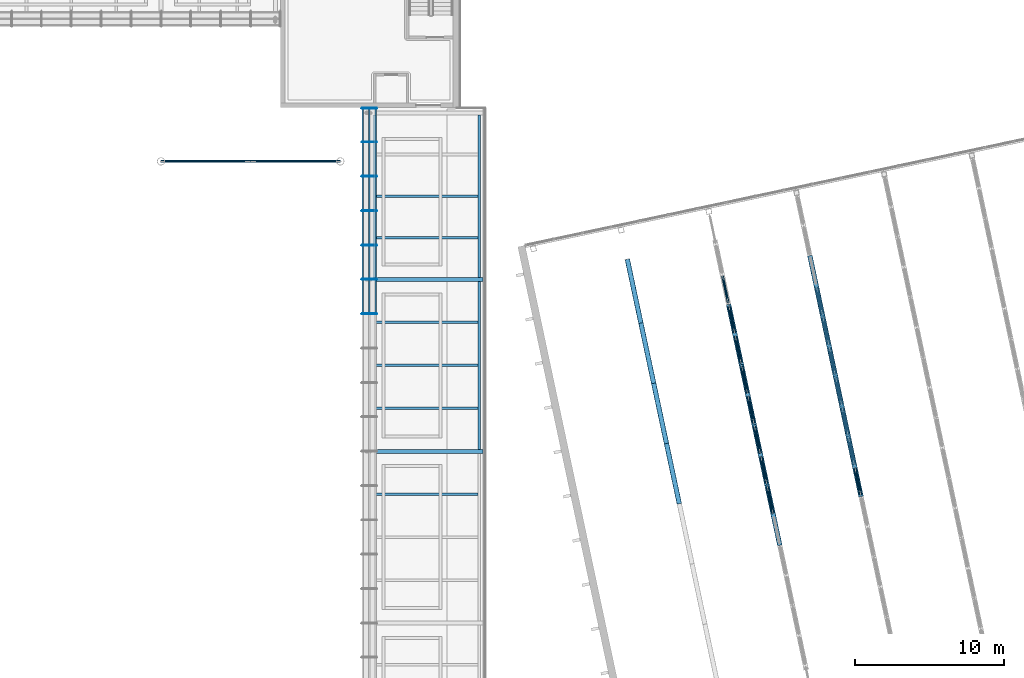
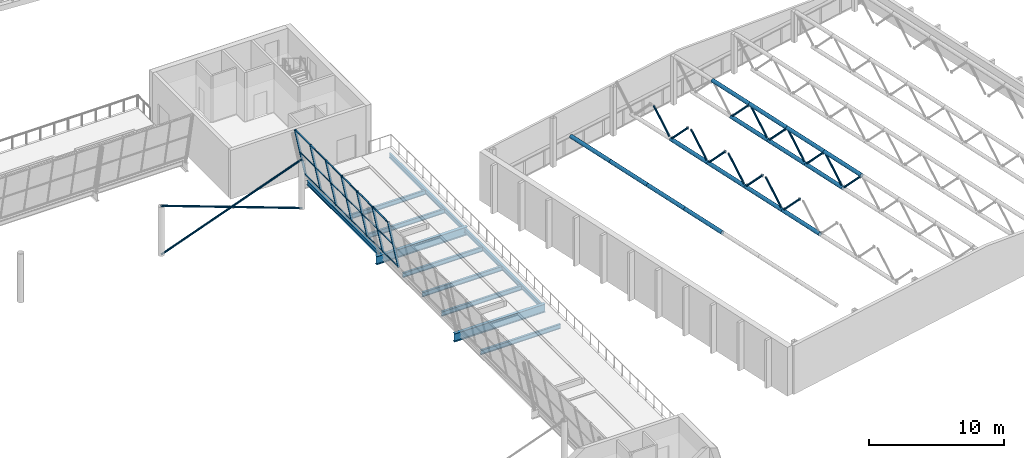
# One storey, part 16 of 58: 58 members, 11 beams, 1 element without a shape of its own.
"""IFC4 building model written with IfcOpenShell, lengths in metres."""

from ifc_helpers import new_model, si_unit, direction, frame, origin, origin_2d, place, context, subcontext, project, spatial, rectangle, hollow_circle, i_section, extrude, material, layer, layer_set, material_profile, profile_set, type_object, element, aggregate, save


model = new_model("IFC4")

# Units and contexts
model_context = context("Model", 3, precision=1e-05, world=origin(), true_north=direction((0.0, 1.0)))
body_context = subcontext(model_context, "Body", "Model", "MODEL_VIEW")
ifc_project = project(units=[si_unit("LENGTHUNIT", "METRE"), si_unit("AREAUNIT", "SQUARE_METRE"), si_unit("VOLUMEUNIT", "CUBIC_METRE"), si_unit("PLANEANGLEUNIT", "RADIAN"), si_unit("MASSUNIT", "GRAM", prefix="KILO")], contexts=[model_context])

# Site, building, storey
site_placement = place(None, origin())
site = spatial("IfcSite", under=ifc_project, at=site_placement, CompositionType="ELEMENT")
building_placement = place(site_placement, origin())
building = spatial("IfcBuilding", under=site, at=building_placement, Name="Windward Yard Aquatics Centre", CompositionType="ELEMENT")
storey_placement = place(building_placement, frame((0.0, 0.0, 13.800048828125)))
storey = spatial("IfcBuildingStorey", under=building, at=storey_placement, Name="L03", CompositionType="ELEMENT", Elevation=13.800048828125)

# Members
ifc_material_1 = material(Name="Steel ASTM A500 Gr C", Category="steel")
ifc_material_profile_1 = material_profile(ifc_material_1, hollow_circle(Radius=0.161865234375, WallThickness=0.0126953125, at=origin_2d()), Name="HSS323.9X12.7")
ifc_profile_set_1 = profile_set([ifc_material_profile_1], Name="Steel ASTM A500 Gr C")
member_type_1 = type_object("IfcMemberType", Name="D bottom chord HSS323.9X12.7", PredefinedType="CHORD", material=ifc_profile_set_1)
for number, where, z_axis, x_axis, name in (
    (1, (166.690673828125, 57.48974609375, 3.715087890625), (-0.207906233063, 0.978148760799, 0.0), (-0.978148760799, -0.207906233063, 0.0), "D.M.TR2.BC4"),
    (2, (165.833984375, 61.520263671875, 3.715087890625), (-0.207906233063, 0.978148760799, 0.0), (-0.978148760799, -0.207906233063, 0.0), "D.M.TR2.BC5"),
    (3, (164.977294921875, 65.55078125, 3.715087890625), (-0.207906233063, 0.978148760799, 0.0), (-0.978148760799, -0.207906233063, 0.0), "D.M.TR2.BC6"),
):
    element("IfcMember", number, at=place(storey_placement, frame(where, z_axis=z_axis, x_axis=x_axis)), inside=storey, type_object=member_type_1, Name=name, PredefinedType="CHORD", context=body_context, shape_type="SweptSolid", body=[
        extrude(hollow_circle(Radius=0.161865234375, WallThickness=0.0126953125, at=origin_2d()), origin(), (0.0, 0.0, 1.0), 4.12060546875),
    ])
member_1_placement = place(storey_placement, frame((164.12060546875, 69.581298828125, 3.715087890625), z_axis=(-0.207918885104, 0.978146071513, 0.0), x_axis=(-0.978146071513, -0.207918885104, 0.0)))
element("IfcMember", 4, at=member_1_placement, inside=storey, type_object=member_type_1, Name="D.M.TR2.BC7", PredefinedType="CHORD", context=body_context, shape_type="SweptSolid", body=[
    extrude(hollow_circle(Radius=0.161865234375, WallThickness=0.0126953125, at=origin_2d()), origin(), (0.0, 0.0, 1.0), 4.370361328125),
])
for number, where, z_axis, x_axis, name in (
    (5, (173.416259765625, 54.706787109375, 2.925537109375), (-0.207906233063, 0.978148760799, 0.0), (-0.978148760799, -0.207906233063, 0.0), "D.M.TR3.BC3"),
    (6, (172.5595703125, 58.7373046875, 2.925537109375), (-0.207906233063, 0.978148760799, 0.0), (-0.978148760799, -0.207906233063, 0.0), "D.M.TR3.BC4"),
):
    element("IfcMember", number, at=place(storey_placement, frame(where, z_axis=z_axis, x_axis=x_axis)), inside=storey, type_object=member_type_1, Name=name, PredefinedType="CHORD", context=body_context, shape_type="SweptSolid", body=[
        extrude(hollow_circle(Radius=0.161865234375, WallThickness=0.0126953125, at=origin_2d()), origin(), (0.0, 0.0, 1.0), 4.12060546875),
    ])
member_2_placement = place(storey_placement, frame((171.702880859375, 62.767822265625, 2.925537109375), z_axis=(-0.2079182829, 0.97814619952, 0.0), x_axis=(-0.97814619952, -0.2079182829, 0.0)))
element("IfcMember", 7, at=member_2_placement, inside=storey, type_object=member_type_1, Name="D.M.TR3.BC5", PredefinedType="CHORD", context=body_context, shape_type="SweptSolid", body=[
    extrude(hollow_circle(Radius=0.161865234375, WallThickness=0.0126953125, at=origin_2d()), origin(), (0.0, 0.0, 1.0), 4.120361328125),
])
member_3_placement = place(storey_placement, frame((170.84619140625, 66.798095703125, 2.925537109375), z_axis=(-0.207906233063, 0.978148760799, 0.0), x_axis=(-0.978148760799, -0.207906233063, 0.0)))
element("IfcMember", 8, at=member_3_placement, inside=storey, type_object=member_type_1, Name="D.M.TR3.BC6", PredefinedType="CHORD", context=body_context, shape_type="SweptSolid", body=[
    extrude(hollow_circle(Radius=0.161865234375, WallThickness=0.0126953125, at=origin_2d()), origin(), (0.0, 0.0, 1.0), 4.12060546875),
])
member_4_placement = place(storey_placement, frame((178.428466796875, 59.98486328125, 2.13623046875), z_axis=(-0.20797497321, 0.978134147507, 0.0), x_axis=(-0.978134147507, -0.20797497321, 0.0)))
element("IfcMember", 9, at=member_4_placement, inside=storey, type_object=member_type_1, Name="D.M.TR4.BC4", PredefinedType="CHORD", context=body_context, shape_type="SweptSolid", body=[
    extrude(hollow_circle(Radius=0.161865234375, WallThickness=0.0126953125, at=origin_2d()), origin(), (0.0, 0.0, 1.0), 4.120361328125),
])
for number, where, z_axis, x_axis, name in (
    (10, (177.571533203125, 64.01513671875, 2.13623046875), (-0.207906233063, 0.978148760799, 0.0), (-0.978148760799, -0.207906233063, 0.0), "D.M.TR4.BC5"),
    (11, (176.71484375, 68.045654296875, 2.13623046875), (-0.207906233063, 0.978148760799, 0.0), (-0.978148760799, -0.207906233063, 0.0), "D.M.TR4.BC6"),
):
    element("IfcMember", number, at=place(storey_placement, frame(where, z_axis=z_axis, x_axis=x_axis)), inside=storey, type_object=member_type_1, Name=name, PredefinedType="CHORD", context=body_context, shape_type="SweptSolid", body=[
        extrude(hollow_circle(Radius=0.161865234375, WallThickness=0.0126953125, at=origin_2d()), origin(), (0.0, 0.0, 1.0), 4.12060546875),
    ])
ifc_material_profile_2 = material_profile(ifc_material_1, hollow_circle(Radius=0.161865234375, WallThickness=0.0126953125, at=origin_2d()), Name="HSS323.9X12.7")
ifc_profile_set_2 = profile_set([ifc_material_profile_2], Name="Steel ASTM A500 Gr C")
member_type_2 = type_object("IfcMemberType", Name="D top chord HSS323.9X12.7", PredefinedType="CHORD", material=ifc_profile_set_2)
for number, where, z_axis, x_axis, name in (
    (12, (178.856689453125, 57.969482421875, 4.336181640625), (-0.207906233063, 0.978148760799, 0.0), (-0.978148760799, -0.207906233063, 0.0), "D.M.TR4.TC4"),
    (13, (178.0, 62.0, 4.336181640625), (-0.207906233063, 0.978148760799, 0.0), (-0.978148760799, -0.207906233063, 0.0), "D.M.TR4.TC5"),
):
    element("IfcMember", number, at=place(storey_placement, frame(where, z_axis=z_axis, x_axis=x_axis)), inside=storey, type_object=member_type_2, Name=name, PredefinedType="CHORD", context=body_context, shape_type="SweptSolid", body=[
        extrude(hollow_circle(Radius=0.161865234375, WallThickness=0.0126953125, at=origin_2d()), origin(), (0.0, 0.0, 1.0), 4.12060546875),
    ])
member_5_placement = place(storey_placement, frame((177.143310546875, 66.030517578125, 4.336181640625), z_axis=(-0.2079182829, 0.97814619952, 0.0), x_axis=(-0.97814619952, -0.2079182829, 0.0)))
element("IfcMember", 14, at=member_5_placement, inside=storey, type_object=member_type_2, Name="D.M.TR4.TC6", PredefinedType="CHORD", context=body_context, shape_type="SweptSolid", body=[
    extrude(hollow_circle(Radius=0.161865234375, WallThickness=0.0126953125, at=origin_2d()), origin(), (0.0, 0.0, 1.0), 4.120361328125),
])
member_6_placement = place(storey_placement, frame((176.28662109375, 70.060791015625, 4.336181640625), z_axis=(-0.207906233063, 0.978148760799, 0.0), x_axis=(-0.978148760799, -0.207906233063, 0.0)))
element("IfcMember", 15, at=member_6_placement, inside=storey, type_object=member_type_2, Name="D.M.TR4.TC7", PredefinedType="CHORD", context=body_context, shape_type="SweptSolid", body=[
    extrude(hollow_circle(Radius=0.161865234375, WallThickness=0.0126953125, at=origin_2d()), origin(), (0.0, 0.0, 1.0), 4.12060546875),
])
ifc_material_profile_3 = material_profile(ifc_material_1, hollow_circle(Radius=0.084228515625, WallThickness=0.010986328125, at=origin_2d()), Name="HSS168.3X11")
ifc_profile_set_3 = profile_set([ifc_material_profile_3], Name="Steel ASTM A500 Gr C")
member_type_3 = type_object("IfcMemberType", Name="D web HSS168.3X11", PredefinedType="BRACE", material=ifc_profile_set_3)
for number, where, z_axis, x_axis, name in (
    (16, (172.956298828125, 56.87060546875, 4.963623046875), (-0.142112310021, 0.668573822143, -0.72994050147), (-0.978146839882, -0.207915270313, 0.0), "D.M.TR3.D7"),
    (17, (172.16259765625, 60.60400390625, 4.963623046875), (0.142112310021, -0.668573822143, -0.72994050147), (0.978146839882, 0.207915270313, 0.0), "D.M.TR3.D8"),
):
    element("IfcMember", number, at=place(storey_placement, frame(where, z_axis=z_axis, x_axis=x_axis)), inside=storey, type_object=member_type_3, Name=name, PredefinedType="BRACE", context=body_context, shape_type="SweptSolid", body=[
        extrude(hollow_circle(Radius=0.084228515625, WallThickness=0.010986328125, at=origin_2d()), origin(), (0.0, 0.0, 1.0), 2.570068359375),
    ])
member_7_placement = place(storey_placement, frame((172.099609375, 60.90087890625, 4.963623046875), z_axis=(-0.142103284534, 0.668626350155, -0.729894143286), x_axis=(-0.978152846624, -0.207887009312, 0.0)))
element("IfcMember", 18, at=member_7_placement, inside=storey, type_object=member_type_3, Name="D.M.TR3.D9", PredefinedType="BRACE", context=body_context, shape_type="SweptSolid", body=[
    extrude(hollow_circle(Radius=0.084228515625, WallThickness=0.010986328125, at=origin_2d()), origin(), (0.0, 0.0, 1.0), 2.5703125),
])
member_8_placement = place(storey_placement, frame((171.305908203125, 64.634521484375, 4.963623046875), z_axis=(0.142112310021, -0.668573822143, -0.72994050147), x_axis=(0.978146839882, 0.207915270313, 0.0)))
element("IfcMember", 19, at=member_8_placement, inside=storey, type_object=member_type_3, Name="D.M.TR3.D10", PredefinedType="BRACE", context=body_context, shape_type="SweptSolid", body=[
    extrude(hollow_circle(Radius=0.084228515625, WallThickness=0.010986328125, at=origin_2d()), origin(), (0.0, 0.0, 1.0), 2.570068359375),
])
for number, where, z_axis, x_axis, name in (
    (20, (171.242919921875, 64.931396484375, 4.963623046875), (-0.142103284534, 0.668626350155, -0.729894143286), (-0.978152846624, -0.207887009312, 0.0), "D.M.TR3.D11"),
    (21, (170.44921875, 68.6650390625, 4.963623046875), (0.142103284534, -0.668626350155, -0.729894143286), (0.978152846624, 0.207887009312, 0.0), "D.M.TR3.D12"),
    (22, (170.38623046875, 68.9619140625, 4.963623046875), (-0.142103284534, 0.668626350155, -0.729894143286), (-0.978152846624, -0.207887009312, 0.0), "D.M.TR3.D13"),
    (23, (169.592529296875, 72.695556640625, 4.963623046875), (0.142103284534, -0.668626350155, -0.729894143286), (0.978152846624, 0.207887009312, 0.0), "D.M.TR3.D14"),
    (24, (178.8251953125, 58.117919921875, 4.17431640625), (-0.142103284534, 0.668626350155, -0.729894143286), (-0.978152846624, -0.207887009312, 0.0), "D.M.TR4.D7"),
):
    element("IfcMember", number, at=place(storey_placement, frame(where, z_axis=z_axis, x_axis=x_axis)), inside=storey, type_object=member_type_3, Name=name, PredefinedType="BRACE", context=body_context, shape_type="SweptSolid", body=[
        extrude(hollow_circle(Radius=0.084228515625, WallThickness=0.010986328125, at=origin_2d()), origin(), (0.0, 0.0, 1.0), 2.5703125),
    ])
for number, where, z_axis, x_axis, name in (
    (25, (178.031494140625, 61.8515625, 4.17431640625), (0.142112310021, -0.668573822143, -0.72994050147), (0.978146839882, 0.207915270313, 0.0), "D.M.TR4.D8"),
    (26, (177.968505859375, 62.1484375, 4.17431640625), (-0.142112310021, 0.668573822143, -0.72994050147), (-0.978146839882, -0.207915270313, 0.0), "D.M.TR4.D9"),
):
    element("IfcMember", number, at=place(storey_placement, frame(where, z_axis=z_axis, x_axis=x_axis)), inside=storey, type_object=member_type_3, Name=name, PredefinedType="BRACE", context=body_context, shape_type="SweptSolid", body=[
        extrude(hollow_circle(Radius=0.084228515625, WallThickness=0.010986328125, at=origin_2d()), origin(), (0.0, 0.0, 1.0), 2.570068359375),
    ])
member_9_placement = place(storey_placement, frame((177.1748046875, 65.882080078125, 4.17431640625), z_axis=(0.142103284534, -0.668626350155, -0.729894143286), x_axis=(0.978152846624, 0.207887009312, 0.0)))
element("IfcMember", 27, at=member_9_placement, inside=storey, type_object=member_type_3, Name="D.M.TR4.D10", PredefinedType="BRACE", context=body_context, shape_type="SweptSolid", body=[
    extrude(hollow_circle(Radius=0.084228515625, WallThickness=0.010986328125, at=origin_2d()), origin(), (0.0, 0.0, 1.0), 2.5703125),
])
member_10_placement = place(storey_placement, frame((177.11181640625, 66.178955078125, 4.17431640625), z_axis=(-0.142112310021, 0.668573822143, -0.72994050147), x_axis=(-0.978146839882, -0.207915270313, 0.0)))
element("IfcMember", 28, at=member_10_placement, inside=storey, type_object=member_type_3, Name="D.M.TR4.D11", PredefinedType="BRACE", context=body_context, shape_type="SweptSolid", body=[
    extrude(hollow_circle(Radius=0.084228515625, WallThickness=0.010986328125, at=origin_2d()), origin(), (0.0, 0.0, 1.0), 2.570068359375),
])
for number, where, z_axis, x_axis, name in (
    (29, (176.318115234375, 69.91259765625, 4.17431640625), (0.142103284534, -0.668626350155, -0.729894143286), (0.978152846624, 0.207887009312, 0.0), "D.M.TR4.D12"),
    (30, (176.255126953125, 70.209228515625, 4.17431640625), (-0.142103284534, 0.668626350155, -0.729894143286), (-0.978152846624, -0.207887009312, 0.0), "D.M.TR4.D13"),
):
    element("IfcMember", number, at=place(storey_placement, frame(where, z_axis=z_axis, x_axis=x_axis)), inside=storey, type_object=member_type_3, Name=name, PredefinedType="BRACE", context=body_context, shape_type="SweptSolid", body=[
        extrude(hollow_circle(Radius=0.084228515625, WallThickness=0.010986328125, at=origin_2d()), origin(), (0.0, 0.0, 1.0), 2.5703125),
    ])

# Curtain wall, members
ifc_material_2 = material(Name="Glass and aluminium curtain wall", Category="aluminium")
ifc_layer = layer(ifc_material_2, 0.179931640625)
ifc_layer_set = layer_set([ifc_layer], Name="H curtain wall tier 2 double glazed 6+16+6")
curtain_wall_type = type_object("IfcCurtainWallType", Name="H curtain wall tier 2 double glazed 6+16+6", PredefinedType="NOTDEFINED", material=ifc_layer_set)
curtain_wall_placement = place(storey_placement, origin())
curtain_wall = element("IfcCurtainWall", 31, at=curtain_wall_placement, inside=storey, type_object=curtain_wall_type, Name="Tier 2 glazing E L03", PredefinedType="NOTDEFINED")
ifc_material_3 = material(Name="Aluminium 6063-T6 anodised", Category="aluminium")
ifc_material_profile_4 = material_profile(ifc_material_3, rectangle(XDim=0.06494140625, YDim=0.179931640625, at=origin_2d()), Name="H CW mullion 65x180")
ifc_profile_set_4 = profile_set([ifc_material_profile_4], Name="Aluminium 6063-T6 anodised")
member_type_4 = type_object("IfcMemberType", Name="H CW mullion 65x180", PredefinedType="MULLION", material=ifc_profile_set_4)
member_11_placement = place(storey_placement, frame((146.38623046875, 70.199951171875, 0.017822265625), z_axis=(-0.199327811945, 0.0, 0.979932866775), x_axis=(0.0, -1.0, 0.0)))
member_11 = element("IfcMember", 32, at=member_11_placement, type_object=member_type_4, Name="G2EA mullion 15", PredefinedType="MULLION", context=body_context, shape_type="SweptSolid", body=[
    extrude(rectangle(XDim=0.06494140625, YDim=0.179931640625, at=origin_2d()), origin(), (0.0, 0.0, 1.0), 4.471923828125),
])
member_12_placement = place(storey_placement, frame((146.38623046875, 72.5, 0.017822265625), z_axis=(-0.199327811945, 0.0, 0.979932866775), x_axis=(0.0, -1.0, 0.0)))
member_12 = element("IfcMember", 33, at=member_12_placement, type_object=member_type_4, Name="G2EA mullion 16", PredefinedType="MULLION", context=body_context, shape_type="SweptSolid", body=[
    extrude(rectangle(XDim=0.06494140625, YDim=0.179931640625, at=origin_2d()), origin(), (0.0, 0.0, 1.0), 4.471923828125),
])
member_13_placement = place(storey_placement, frame((146.38623046875, 74.800048828125, 0.017822265625), z_axis=(-0.199327811945, 0.0, 0.979932866775), x_axis=(0.0, -1.0, 0.0)))
member_13 = element("IfcMember", 34, at=member_13_placement, type_object=member_type_4, Name="G2EA mullion 17", PredefinedType="MULLION", context=body_context, shape_type="SweptSolid", body=[
    extrude(rectangle(XDim=0.06494140625, YDim=0.179931640625, at=origin_2d()), origin(), (0.0, 0.0, 1.0), 4.471923828125),
])
member_14_placement = place(storey_placement, frame((146.38623046875, 77.10009765625, 0.017822265625), z_axis=(-0.199327811945, 0.0, 0.979932866775), x_axis=(0.0, -1.0, 0.0)))
member_14 = element("IfcMember", 35, at=member_14_placement, type_object=member_type_4, Name="G2EA mullion 18", PredefinedType="MULLION", context=body_context, shape_type="SweptSolid", body=[
    extrude(rectangle(XDim=0.06494140625, YDim=0.179931640625, at=origin_2d()), origin(), (0.0, 0.0, 1.0), 4.471923828125),
])
member_15_placement = place(storey_placement, frame((146.38623046875, 79.39990234375, 0.017822265625), z_axis=(-0.199327811945, 0.0, 0.979932866775), x_axis=(0.0, -1.0, 0.0)))
member_15 = element("IfcMember", 36, at=member_15_placement, type_object=member_type_4, Name="G2EA mullion 19", PredefinedType="MULLION", context=body_context, shape_type="SweptSolid", body=[
    extrude(rectangle(XDim=0.06494140625, YDim=0.179931640625, at=origin_2d()), origin(), (0.0, 0.0, 1.0), 4.471923828125),
])
member_16_placement = place(storey_placement, frame((146.38623046875, 81.699951171875, 0.017822265625), z_axis=(-0.199327811945, 0.0, 0.979932866775), x_axis=(0.0, -1.0, 0.0)))
member_16 = element("IfcMember", 37, at=member_16_placement, type_object=member_type_4, Name="G2EA mullion 20", PredefinedType="MULLION", context=body_context, shape_type="SweptSolid", body=[
    extrude(rectangle(XDim=0.06494140625, YDim=0.179931640625, at=origin_2d()), origin(), (0.0, 0.0, 1.0), 4.471923828125),
])
member_17_placement = place(storey_placement, frame((146.38623046875, 83.967529296875, 0.017822265625), z_axis=(-0.199327811945, 0.0, 0.979932866775), x_axis=(0.0, -1.0, 0.0)))
member_17 = element("IfcMember", 38, at=member_17_placement, type_object=member_type_4, Name="G2EA mullion 21", PredefinedType="MULLION", context=body_context, shape_type="SweptSolid", body=[
    extrude(rectangle(XDim=0.06494140625, YDim=0.179931640625, at=origin_2d()), origin(), (0.0, 0.0, 1.0), 4.471923828125),
])
ifc_material_profile_5 = material_profile(ifc_material_3, rectangle(XDim=0.06494140625, YDim=0.10009765625, at=origin_2d()), Name="H CW transom 65x100")
ifc_profile_set_5 = profile_set([ifc_material_profile_5], Name="Aluminium 6063-T6 anodised")
member_type_5 = type_object("IfcMemberType", Name="H CW transom 65x100", PredefinedType="USERDEFINED", material=ifc_profile_set_5)
member_18_placement = place(storey_placement, frame((146.378662109375, 70.232421875, 0.055419921875), z_axis=(0.0, 1.0, 0.0), x_axis=(0.979924704642, 0.0, 0.199367934315)))
member_18 = element("IfcMember", 39, at=member_18_placement, type_object=member_type_5, Name="G2EA transom 15.1", ObjectType="TRANSOM", PredefinedType="USERDEFINED", context=body_context, shape_type="SweptSolid", body=[
    extrude(rectangle(XDim=0.06494140625, YDim=0.10009765625, at=origin_2d()), origin(), (0.0, 0.0, 1.0), 2.235107421875),
])
member_19_placement = place(storey_placement, frame((145.9423828125, 70.232421875, 2.199951171875), z_axis=(0.0, 1.0, 0.0), x_axis=(0.979924704642, 0.0, 0.199367934315)))
member_19 = element("IfcMember", 40, at=member_19_placement, type_object=member_type_5, Name="G2EA transom 15.2", ObjectType="TRANSOM", PredefinedType="USERDEFINED", context=body_context, shape_type="SweptSolid", body=[
    extrude(rectangle(XDim=0.06494140625, YDim=0.10009765625, at=origin_2d()), origin(), (0.0, 0.0, 1.0), 2.235107421875),
])
member_20_placement = place(storey_placement, frame((145.5048828125, 70.232421875, 4.35107421875), z_axis=(0.0, 1.0, 0.0), x_axis=(0.979924704642, 0.0, 0.199367934315)))
member_20 = element("IfcMember", 41, at=member_20_placement, type_object=member_type_5, Name="G2EA transom 15.3", ObjectType="TRANSOM", PredefinedType="USERDEFINED", context=body_context, shape_type="SweptSolid", body=[
    extrude(rectangle(XDim=0.06494140625, YDim=0.10009765625, at=origin_2d()), origin(), (0.0, 0.0, 1.0), 2.235107421875),
])
member_21_placement = place(storey_placement, frame((146.378662109375, 72.532470703125, 0.055419921875), z_axis=(0.0, 1.0, 0.0), x_axis=(0.979924704642, 0.0, 0.199367934315)))
member_21 = element("IfcMember", 42, at=member_21_placement, type_object=member_type_5, Name="G2EA transom 16.1", ObjectType="TRANSOM", PredefinedType="USERDEFINED", context=body_context, shape_type="SweptSolid", body=[
    extrude(rectangle(XDim=0.06494140625, YDim=0.10009765625, at=origin_2d()), origin(), (0.0, 0.0, 1.0), 2.235107421875),
])
member_22_placement = place(storey_placement, frame((145.9423828125, 72.532470703125, 2.199951171875), z_axis=(0.0, 1.0, 0.0), x_axis=(0.979924704642, 0.0, 0.199367934315)))
member_22 = element("IfcMember", 43, at=member_22_placement, type_object=member_type_5, Name="G2EA transom 16.2", ObjectType="TRANSOM", PredefinedType="USERDEFINED", context=body_context, shape_type="SweptSolid", body=[
    extrude(rectangle(XDim=0.06494140625, YDim=0.10009765625, at=origin_2d()), origin(), (0.0, 0.0, 1.0), 2.235107421875),
])
member_23_placement = place(storey_placement, frame((145.5048828125, 72.532470703125, 4.35107421875), z_axis=(0.0, 1.0, 0.0), x_axis=(0.979924704642, 0.0, 0.199367934315)))
member_23 = element("IfcMember", 44, at=member_23_placement, type_object=member_type_5, Name="G2EA transom 16.3", ObjectType="TRANSOM", PredefinedType="USERDEFINED", context=body_context, shape_type="SweptSolid", body=[
    extrude(rectangle(XDim=0.06494140625, YDim=0.10009765625, at=origin_2d()), origin(), (0.0, 0.0, 1.0), 2.235107421875),
])
member_24_placement = place(storey_placement, frame((146.378662109375, 74.83251953125, 0.055419921875), z_axis=(0.0, 1.0, 0.0), x_axis=(0.979924704642, 0.0, 0.199367934315)))
member_24 = element("IfcMember", 45, at=member_24_placement, type_object=member_type_5, Name="G2EA transom 17.1", ObjectType="TRANSOM", PredefinedType="USERDEFINED", context=body_context, shape_type="SweptSolid", body=[
    extrude(rectangle(XDim=0.06494140625, YDim=0.10009765625, at=origin_2d()), origin(), (0.0, 0.0, 1.0), 2.23486328125),
])
member_25_placement = place(storey_placement, frame((145.9423828125, 74.83251953125, 2.199951171875), z_axis=(0.0, 1.0, 0.0), x_axis=(0.979924704642, 0.0, 0.199367934315)))
member_25 = element("IfcMember", 46, at=member_25_placement, type_object=member_type_5, Name="G2EA transom 17.2", ObjectType="TRANSOM", PredefinedType="USERDEFINED", context=body_context, shape_type="SweptSolid", body=[
    extrude(rectangle(XDim=0.06494140625, YDim=0.10009765625, at=origin_2d()), origin(), (0.0, 0.0, 1.0), 2.23486328125),
])
member_26_placement = place(storey_placement, frame((145.5048828125, 74.83251953125, 4.35107421875), z_axis=(0.0, 1.0, 0.0), x_axis=(0.979924704642, 0.0, 0.199367934315)))
member_26 = element("IfcMember", 47, at=member_26_placement, type_object=member_type_5, Name="G2EA transom 17.3", ObjectType="TRANSOM", PredefinedType="USERDEFINED", context=body_context, shape_type="SweptSolid", body=[
    extrude(rectangle(XDim=0.06494140625, YDim=0.10009765625, at=origin_2d()), origin(), (0.0, 0.0, 1.0), 2.23486328125),
])
member_27_placement = place(storey_placement, frame((146.378662109375, 77.132568359375, 0.055419921875), z_axis=(0.0, 1.0, 0.0), x_axis=(0.979924704642, 0.0, 0.199367934315)))
member_27 = element("IfcMember", 48, at=member_27_placement, type_object=member_type_5, Name="G2EA transom 18.1", ObjectType="TRANSOM", PredefinedType="USERDEFINED", context=body_context, shape_type="SweptSolid", body=[
    extrude(rectangle(XDim=0.06494140625, YDim=0.10009765625, at=origin_2d()), origin(), (0.0, 0.0, 1.0), 2.23486328125),
])
member_28_placement = place(storey_placement, frame((145.9423828125, 77.132568359375, 2.199951171875), z_axis=(0.0, 1.0, 0.0), x_axis=(0.979924704642, 0.0, 0.199367934315)))
member_28 = element("IfcMember", 49, at=member_28_placement, type_object=member_type_5, Name="G2EA transom 18.2", ObjectType="TRANSOM", PredefinedType="USERDEFINED", context=body_context, shape_type="SweptSolid", body=[
    extrude(rectangle(XDim=0.06494140625, YDim=0.10009765625, at=origin_2d()), origin(), (0.0, 0.0, 1.0), 2.23486328125),
])
member_29_placement = place(storey_placement, frame((145.5048828125, 77.132568359375, 4.35107421875), z_axis=(0.0, 1.0, 0.0), x_axis=(0.979924704642, 0.0, 0.199367934315)))
member_29 = element("IfcMember", 50, at=member_29_placement, type_object=member_type_5, Name="G2EA transom 18.3", ObjectType="TRANSOM", PredefinedType="USERDEFINED", context=body_context, shape_type="SweptSolid", body=[
    extrude(rectangle(XDim=0.06494140625, YDim=0.10009765625, at=origin_2d()), origin(), (0.0, 0.0, 1.0), 2.23486328125),
])
member_30_placement = place(storey_placement, frame((146.378662109375, 79.4326171875, 0.055419921875), z_axis=(0.0, 1.0, 0.0), x_axis=(0.979924704642, 0.0, 0.199367934315)))
member_30 = element("IfcMember", 51, at=member_30_placement, type_object=member_type_5, Name="G2EA transom 19.1", ObjectType="TRANSOM", PredefinedType="USERDEFINED", context=body_context, shape_type="SweptSolid", body=[
    extrude(rectangle(XDim=0.06494140625, YDim=0.10009765625, at=origin_2d()), origin(), (0.0, 0.0, 1.0), 2.23486328125),
])
member_31_placement = place(storey_placement, frame((145.9423828125, 79.4326171875, 2.199951171875), z_axis=(0.0, 1.0, 0.0), x_axis=(0.979924704642, 0.0, 0.199367934315)))
member_31 = element("IfcMember", 52, at=member_31_placement, type_object=member_type_5, Name="G2EA transom 19.2", ObjectType="TRANSOM", PredefinedType="USERDEFINED", context=body_context, shape_type="SweptSolid", body=[
    extrude(rectangle(XDim=0.06494140625, YDim=0.10009765625, at=origin_2d()), origin(), (0.0, 0.0, 1.0), 2.23486328125),
])
member_32_placement = place(storey_placement, frame((145.5048828125, 79.4326171875, 4.35107421875), z_axis=(0.0, 1.0, 0.0), x_axis=(0.979924704642, 0.0, 0.199367934315)))
member_32 = element("IfcMember", 53, at=member_32_placement, type_object=member_type_5, Name="G2EA transom 19.3", ObjectType="TRANSOM", PredefinedType="USERDEFINED", context=body_context, shape_type="SweptSolid", body=[
    extrude(rectangle(XDim=0.06494140625, YDim=0.10009765625, at=origin_2d()), origin(), (0.0, 0.0, 1.0), 2.23486328125),
])
member_33_placement = place(storey_placement, frame((146.378662109375, 81.732421875, 0.055419921875), z_axis=(0.0, 1.0, 0.0), x_axis=(0.979924704642, 0.0, 0.199367934315)))
member_33 = element("IfcMember", 54, at=member_33_placement, type_object=member_type_5, Name="G2EA transom 20.1", ObjectType="TRANSOM", PredefinedType="USERDEFINED", context=body_context, shape_type="SweptSolid", body=[
    extrude(rectangle(XDim=0.06494140625, YDim=0.10009765625, at=origin_2d()), origin(), (0.0, 0.0, 1.0), 2.20263671875),
])
member_34_placement = place(storey_placement, frame((145.9423828125, 81.732421875, 2.199951171875), z_axis=(0.0, 1.0, 0.0), x_axis=(0.979924704642, 0.0, 0.199367934315)))
member_34 = element("IfcMember", 55, at=member_34_placement, type_object=member_type_5, Name="G2EA transom 20.2", ObjectType="TRANSOM", PredefinedType="USERDEFINED", context=body_context, shape_type="SweptSolid", body=[
    extrude(rectangle(XDim=0.06494140625, YDim=0.10009765625, at=origin_2d()), origin(), (0.0, 0.0, 1.0), 2.20263671875),
])
member_35_placement = place(storey_placement, frame((145.5048828125, 81.732421875, 4.35107421875), z_axis=(0.0, 1.0, 0.0), x_axis=(0.979924704642, 0.0, 0.199367934315)))
member_35 = element("IfcMember", 56, at=member_35_placement, type_object=member_type_5, Name="G2EA transom 20.3", ObjectType="TRANSOM", PredefinedType="USERDEFINED", context=body_context, shape_type="SweptSolid", body=[
    extrude(rectangle(XDim=0.06494140625, YDim=0.10009765625, at=origin_2d()), origin(), (0.0, 0.0, 1.0), 2.20263671875),
])
aggregate(curtain_wall, [member_11, member_12, member_13, member_14, member_15, member_16, member_17, member_18, member_19, member_20, member_21, member_22, member_23, member_24, member_25, member_26, member_27, member_28, member_29, member_30, member_31, member_32, member_33, member_34, member_35])

# Members
ifc_material_profile_6 = material_profile(ifc_material_1, hollow_circle(Radius=0.084228515625, WallThickness=0.010986328125, at=origin_2d()), Name="HSS168.3X11")
ifc_profile_set_6 = profile_set([ifc_material_profile_6], Name="Steel ASTM A500 Gr C")
member_type_6 = type_object("IfcMemberType", Name="H column brace HSS168.3X11", PredefinedType="BRACE", material=ifc_profile_set_6)
member_36_placement = place(storey_placement, frame((132.0, 80.39990234375, 0.0), z_axis=(0.938878785405, 0.0, 0.344247914033), x_axis=(0.0, 1.0, 0.0)))
element("IfcMember", 57, at=member_36_placement, inside=storey, type_object=member_type_6, Name="H.VB.N7.L03.A", PredefinedType="BRACE", context=body_context, shape_type="SweptSolid", body=[
    extrude(hollow_circle(Radius=0.084228515625, WallThickness=0.010986328125, at=origin_2d()), origin(), (0.0, 0.0, 1.0), 12.78125),
])
for number, where, z_axis, x_axis, name in (
    (58, (132.0, 80.39990234375, 4.39990234375), (0.938872965334, 0.0, -0.344263786891), (0.0, 1.0, 0.0), "H.VB.N7.L03.B1"),
    (59, (138.103515625, 80.39990234375, 2.162109375), (0.938872965334, 0.0, -0.344263786891), (0.0, 1.0, 0.0), "H.VB.N7.L03.B2"),
):
    element("IfcMember", number, at=place(storey_placement, frame(where, z_axis=z_axis, x_axis=x_axis)), inside=storey, type_object=member_type_6, Name=name, PredefinedType="BRACE", context=body_context, shape_type="SweptSolid", body=[
        extrude(hollow_circle(Radius=0.084228515625, WallThickness=0.010986328125, at=origin_2d()), origin(), (0.0, 0.0, 1.0), 6.2802734375),
    ])

# Beams
ifc_material_4 = material(Name="Steel ASTM A992 Gr 50", Category="steel")
ifc_material_profile_7 = material_profile(ifc_material_4, i_section(OverallWidth=0.177978515625, OverallDepth=0.406005859375, WebThickness=0.0078125, FlangeThickness=0.0126953125, at=origin_2d()), Name="W410X60")
ifc_profile_set_7 = profile_set([ifc_material_profile_7], Name="Steel ASTM A992 Gr 50")
beam_type_1 = type_object("IfcBeamType", Name="H terrace secondary beam W410X60", PredefinedType="BEAM", material=ifc_profile_set_7)
beam_1_placement = place(storey_placement, frame((153.2119140625, 58.125, -0.35302734375), z_axis=(-1.0, 0.0, 0.0), x_axis=(0.0, -1.0, 0.0)))
element("IfcBeam", 60, at=beam_1_placement, inside=storey, type_object=beam_type_1, Name="H.T1S.E2.3", PredefinedType="BEAM", context=body_context, shape_type="SweptSolid", body=[
    extrude(i_section(OverallWidth=0.177978515625, OverallDepth=0.406005859375, WebThickness=0.0078125, FlangeThickness=0.0126953125, at=origin_2d()), origin(), (0.0, 0.0, 1.0), 6.83251953125),
])
beam_2_placement = place(storey_placement, frame((153.301025390625, 61.133544921875, -0.35302734375), z_axis=(0.0, 1.0, 0.0), x_axis=(-1.0, 0.0, 0.0)))
element("IfcBeam", 61, at=beam_2_placement, inside=storey, type_object=beam_type_1, Name="H.T1E.E3.O", PredefinedType="BEAM", context=body_context, shape_type="SweptSolid", body=[
    extrude(i_section(OverallWidth=0.177978515625, OverallDepth=0.406005859375, WebThickness=0.0078125, FlangeThickness=0.0126953125, at=origin_2d()), origin(), (0.0, 0.0, 1.0), 11.23291015625),
])
for number, where, z_axis, x_axis, name in (
    (62, (153.2119140625, 63.875, -0.35302734375), (-1.0, 0.0, 0.0), (0.0, -1.0, 0.0), "H.T1S.E3.1"),
    (63, (153.2119140625, 66.75, -0.35302734375), (-1.0, 0.0, 0.0), (0.0, -1.0, 0.0), "H.T1S.E3.2"),
    (64, (153.2119140625, 69.625, -0.35302734375), (-1.0, 0.0, 0.0), (0.0, -1.0, 0.0), "H.T1S.E3.3"),
):
    element("IfcBeam", number, at=place(storey_placement, frame(where, z_axis=z_axis, x_axis=x_axis)), inside=storey, type_object=beam_type_1, Name=name, PredefinedType="BEAM", context=body_context, shape_type="SweptSolid", body=[
        extrude(i_section(OverallWidth=0.177978515625, OverallDepth=0.406005859375, WebThickness=0.0078125, FlangeThickness=0.0126953125, at=origin_2d()), origin(), (0.0, 0.0, 1.0), 6.83251953125),
    ])
for number, where, z_axis, x_axis, name in (
    (65, (153.301025390625, 72.633544921875, -0.35302734375), (0.0, 1.0, 0.0), (-1.0, 0.0, 0.0), "H.T1E.E4.O"),
    (66, (146.290283203125, 72.633544921875, -0.35302734375), (0.0, 1.0, 0.0), (-1.0, 0.0, 0.0), "H.T1E.E4.I"),
):
    element("IfcBeam", number, at=place(storey_placement, frame(where, z_axis=z_axis, x_axis=x_axis)), inside=storey, type_object=beam_type_1, Name=name, PredefinedType="BEAM", context=body_context, shape_type="SweptSolid", body=[
        extrude(i_section(OverallWidth=0.177978515625, OverallDepth=0.406005859375, WebThickness=0.0078125, FlangeThickness=0.0126953125, at=origin_2d()), origin(), (0.0, 0.0, 1.0), 10.883056640625),
    ])
for number, where, z_axis, x_axis, name in (
    (67, (153.2119140625, 75.28759765625, -0.35302734375), (-1.0, 0.0, 0.0), (0.0, -1.0, 0.0), "H.T1S.E4.1"),
    (68, (153.2119140625, 78.074951171875, -0.35302734375), (-1.0, 0.0, 0.0), (0.0, -1.0, 0.0), "H.T1S.E4.2"),
):
    element("IfcBeam", number, at=place(storey_placement, frame(where, z_axis=z_axis, x_axis=x_axis)), inside=storey, type_object=beam_type_1, Name=name, PredefinedType="BEAM", context=body_context, shape_type="SweptSolid", body=[
        extrude(i_section(OverallWidth=0.177978515625, OverallDepth=0.406005859375, WebThickness=0.0078125, FlangeThickness=0.0126953125, at=origin_2d()), origin(), (0.0, 0.0, 1.0), 6.83251953125),
    ])
ifc_material_profile_8 = material_profile(ifc_material_4, i_section(OverallWidth=0.26708984375, OverallDepth=0.75390625, WebThickness=0.01318359375, FlangeThickness=0.01708984375, at=origin_2d()), Name="W760X147")
ifc_profile_set_8 = profile_set([ifc_material_profile_8], Name="Steel ASTM A992 Gr 50")
beam_type_2 = type_object("IfcBeamType", Name="H terrace transfer girder W760X147", PredefinedType="BEAM", material=ifc_profile_set_8)
for number, where, z_axis, x_axis, name in (
    (69, (153.551025390625, 61.0, -0.527099609375), (-1.0, 0.0, 0.0), (0.0, -1.0, 0.0), "H.T1B.E3"),
    (70, (153.551025390625, 72.5, -0.527099609375), (-1.0, 0.0, 0.0), (0.0, -1.0, 0.0), "H.T1B.E4"),
):
    element("IfcBeam", number, at=place(storey_placement, frame(where, z_axis=z_axis, x_axis=x_axis)), inside=storey, type_object=beam_type_2, Name=name, PredefinedType="BEAM", context=body_context, shape_type="SweptSolid", body=[
        extrude(i_section(OverallWidth=0.26708984375, OverallDepth=0.75390625, WebThickness=0.01318359375, FlangeThickness=0.01708984375, at=origin_2d()), origin(), (0.0, 0.0, 1.0), 7.766357421875),
    ])

save(model, "model.ifc")
